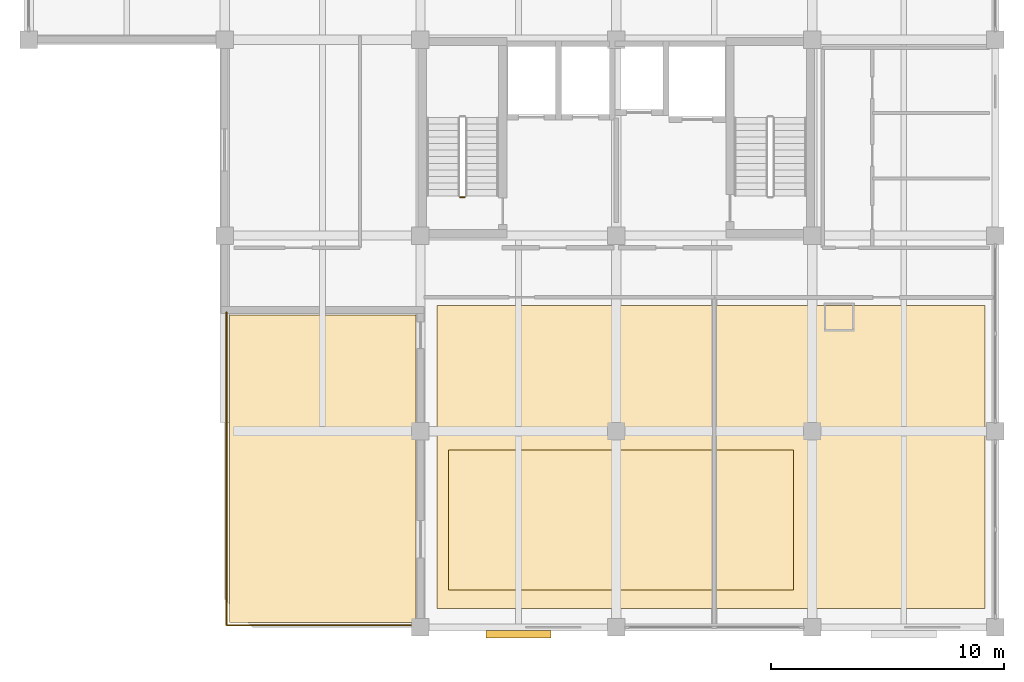
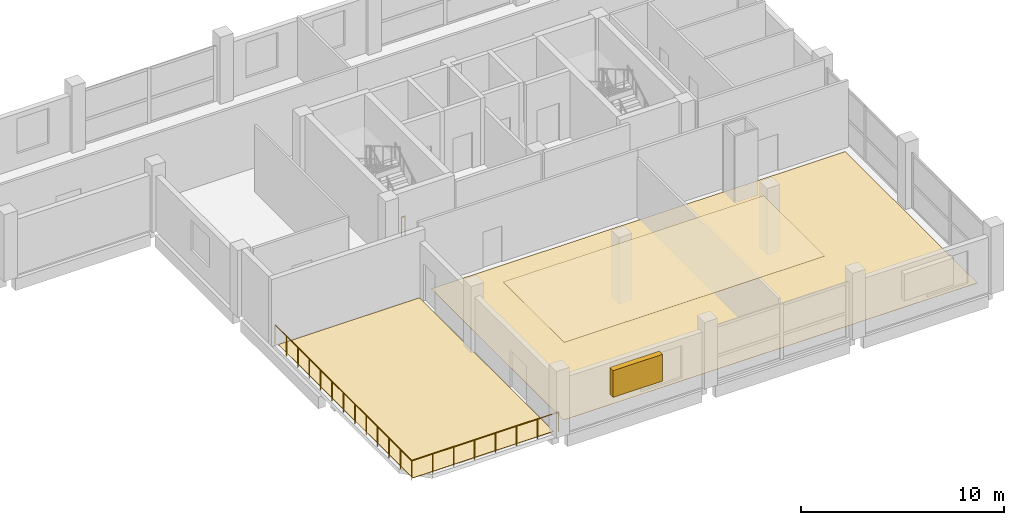
# One storey, part 9 of 10: 3 coverings, 2 railings, 1 shading device.
"""IFC4 building model written with IfcOpenShell, lengths in metres."""

from ifc_helpers import new_model, si_unit, direction, frame, origin, origin_2d, place, context, subcontext, project, spatial, polyline, rectangle, circle, outline, extrude, material, layer, layer_set, type_object, element, save


model = new_model("IFC4")

# Units and contexts
model_context = context("Model", 3, precision=1e-05, world=origin(), true_north=direction((0.0, 1.0)))
body_context = subcontext(model_context, "Body", "Model", "MODEL_VIEW")
ifc_project = project(units=[si_unit("LENGTHUNIT", "METRE"), si_unit("AREAUNIT", "SQUARE_METRE"), si_unit("VOLUMEUNIT", "CUBIC_METRE"), si_unit("PLANEANGLEUNIT", "RADIAN"), si_unit("MASSUNIT", "GRAM", prefix="KILO")], contexts=[model_context])

# Site, building, storey
site_placement = place(None, origin())
site = spatial("IfcSite", under=ifc_project, at=site_placement, CompositionType="ELEMENT")
building_placement = place(site_placement, origin())
building = spatial("IfcBuilding", under=site, at=building_placement, Name="Brinegate Botanical Conservatory", CompositionType="ELEMENT")
storey_placement = place(building_placement, frame((0.0, 0.0, 44.39990234375)))
storey = spatial("IfcBuildingStorey", under=building, at=storey_placement, Name="L11", CompositionType="ELEMENT", Elevation=44.39990234375)

# Coverings
ifc_material_1 = material(Name="Moisture-resistant acoustic mineral-fibre ceiling board", Category="gypsum")
ifc_layer_1 = layer(ifc_material_1, 0.02001953125, Name="Moisture-resistant acoustic mineral-fibre ceiling board", Category="gypsum")
ifc_layer_set_1 = layer_set([ifc_layer_1], Name="Moisture-resistant acoustic mineral-fibre ceiling board")
covering_type_1 = type_object("IfcCoveringType", Name="Cov_CLG-LAB", PredefinedType="CEILING", material=ifc_layer_set_1)
covering_1_placement = place(storey_placement, frame((0.0, 0.0, 3.989990234375)))
element("IfcCovering", 1, at=covering_1_placement, inside=storey, type_object=covering_type_1, Name="Laboratory acoustic mineral-fibre ceiling L11", PredefinedType="CEILING", context=body_context, shape_type="SweptSolid", body=[
    extrude(outline(polyline([(140.0, 80.0), (154.800048828125, 80.0), (154.800048828125, 86.0), (140.0, 86.0), (140.0, 80.0)])), origin(), (0.0, 0.0, 1.0), 0.02001953125),
])
ifc_material_2 = material(Name="Seamless chemical-resistant terrazzo and epoxy flooring", Category="concrete")
ifc_layer_2 = layer(ifc_material_2, 0.014892578125, Name="Seamless chemical-resistant terrazzo and epoxy flooring", Category="concrete")
ifc_layer_set_2 = layer_set([ifc_layer_2], Name="Seamless chemical-resistant terrazzo and epoxy flooring")
covering_type_2 = type_object("IfcCoveringType", Name="Cov_FLR-LAB", PredefinedType="FLOORING", material=ifc_layer_set_2)
covering_2_placement = place(storey_placement, origin())
element("IfcCovering", 2, at=covering_2_placement, inside=storey, type_object=covering_type_2, Name="Laboratory seamless terrazzo floor finish L11", PredefinedType="FLOORING", context=body_context, shape_type="SweptSolid", body=[
    extrude(outline(polyline([(139.5, 79.199951171875), (163.0, 79.199951171875), (163.0, 92.199951171875), (139.5, 92.199951171875), (139.5, 79.199951171875)])), origin(), (0.0, 0.0, 1.0), 0.01513671875),
])
ifc_material_3 = material(Name="Thermoplastic polyolefin waterproofing membrane & rigid insulation", Category="membrane")
ifc_layer_3 = layer(ifc_material_3, 0.02490234375, Name="Thermoplastic polyolefin waterproofing membrane & rigid insulation", Category="membrane")
ifc_layer_set_3 = layer_set([ifc_layer_3], Name="Thermoplastic polyolefin waterproofing membrane & rigid insulation")
covering_type_3 = type_object("IfcCoveringType", Name="Cov_ROF-MEM", PredefinedType="ROOFING", material=ifc_layer_set_3)
covering_3_placement = place(storey_placement, origin())
element("IfcCovering", 3, at=covering_3_placement, inside=storey, type_object=covering_type_3, Name="Mid-tower loggia waterproofing L11", PredefinedType="ROOFING", context=body_context, shape_type="SweptSolid", body=[
    extrude(outline(polyline([(130.60009765625, 78.60009765625), (138.60009765625, 78.60009765625), (138.60009765625, 91.800048828125), (130.60009765625, 91.800048828125), (130.60009765625, 78.60009765625)])), origin(), (0.0, 0.0, 1.0), 0.025146484375),
])

# Railings
ifc_material_4 = material(Name="Structural steel Q355B / S355 and laminated glass balustrade", Category="steel")
railing_type_1 = type_object("IfcRailingType", Name="Rail_GD-EXT", PredefinedType="BALUSTRADE", material=ifc_material_4)
railing_1_placement = place(storey_placement, frame((138.800048828125, 78.47998046875, 0.0)))
element("IfcRailing", 4, at=railing_1_placement, inside=storey, type_object=railing_type_1, Name="Mid-Tower Botanical Loggia L11 perimeter balustrade", PredefinedType="BALUSTRADE", context=body_context, shape_type="SweptSolid", body=[
    extrude(circle(Radius=0.02392578125, at=origin_2d()), frame((0.0, 0.0, 1.17578125), z_axis=(-1.0, 0.0, 0.0), x_axis=(0.0, -1.0, 0.0)), (0.0, 0.0, 1.0), 8.320068359375),
    extrude(circle(Radius=0.02392578125, at=origin_2d()), frame((-8.320068359375, 0.0, 1.17578125), z_axis=(0.0, 1.0, 0.0), x_axis=(-1.0, 0.0, 0.0)), (0.0, 0.0, 1.0), 13.43994140625),
    extrude(circle(Radius=0.02099609375, at=origin_2d()), origin(), (0.0, 0.0, 1.0), 1.15185546875),
    extrude(circle(Radius=0.02099609375, at=origin_2d()), frame((-1.1884765625, 0.0, 0.0)), (0.0, 0.0, 1.0), 1.15185546875),
    extrude(circle(Radius=0.02099609375, at=origin_2d()), frame((-2.377197265625, 0.0, 0.0)), (0.0, 0.0, 1.0), 1.15185546875),
    extrude(circle(Radius=0.02099609375, at=origin_2d()), frame((-3.565673828125, 0.0, 0.0)), (0.0, 0.0, 1.0), 1.15185546875),
    extrude(circle(Radius=0.02099609375, at=origin_2d()), frame((-4.75439453125, 0.0, 0.0)), (0.0, 0.0, 1.0), 1.15185546875),
    extrude(circle(Radius=0.02099609375, at=origin_2d()), frame((-5.94287109375, 0.0, 0.0)), (0.0, 0.0, 1.0), 1.15185546875),
    extrude(circle(Radius=0.02099609375, at=origin_2d()), frame((-7.131591796875, 0.0, 0.0)), (0.0, 0.0, 1.0), 1.15185546875),
    extrude(circle(Radius=0.02099609375, at=origin_2d()), frame((-8.320068359375, 0.0, 0.0)), (0.0, 0.0, 1.0), 1.15185546875),
    extrude(circle(Radius=0.02099609375, at=origin_2d()), frame((-8.320068359375, 1.1201171875, 0.0)), (0.0, 0.0, 1.0), 1.15185546875),
    extrude(circle(Radius=0.02099609375, at=origin_2d()), frame((-8.320068359375, 2.239990234375, 0.0)), (0.0, 0.0, 1.0), 1.15185546875),
    extrude(circle(Radius=0.02099609375, at=origin_2d()), frame((-8.320068359375, 3.35986328125, 0.0)), (0.0, 0.0, 1.0), 1.15185546875),
    extrude(circle(Radius=0.02099609375, at=origin_2d()), frame((-8.320068359375, 4.47998046875, 0.0)), (0.0, 0.0, 1.0), 1.15185546875),
    extrude(circle(Radius=0.02099609375, at=origin_2d()), frame((-8.320068359375, 5.60009765625, 0.0)), (0.0, 0.0, 1.0), 1.15185546875),
    extrude(circle(Radius=0.02099609375, at=origin_2d()), frame((-8.320068359375, 6.719970703125, 0.0)), (0.0, 0.0, 1.0), 1.15185546875),
    extrude(circle(Radius=0.02099609375, at=origin_2d()), frame((-8.320068359375, 7.840087890625, 0.0)), (0.0, 0.0, 1.0), 1.15185546875),
    extrude(circle(Radius=0.02099609375, at=origin_2d()), frame((-8.320068359375, 8.9599609375, 0.0)), (0.0, 0.0, 1.0), 1.15185546875),
    extrude(circle(Radius=0.02099609375, at=origin_2d()), frame((-8.320068359375, 10.080078125, 0.0)), (0.0, 0.0, 1.0), 1.15185546875),
    extrude(circle(Radius=0.02099609375, at=origin_2d()), frame((-8.320068359375, 11.199951171875, 0.0)), (0.0, 0.0, 1.0), 1.15185546875),
    extrude(circle(Radius=0.02099609375, at=origin_2d()), frame((-8.320068359375, 12.31982421875, 0.0)), (0.0, 0.0, 1.0), 1.15185546875),
    extrude(circle(Radius=0.02099609375, at=origin_2d()), frame((-8.320068359375, 13.43994140625, 0.0)), (0.0, 0.0, 1.0), 1.15185546875),
])
ifc_material_5 = material(Name="Structural steel Q355B / S355 painted tubular guardrail", Category="steel")
railing_type_2 = type_object("IfcRailingType", Name="Rail_ST-GRD", PredefinedType="GUARDRAIL", material=ifc_material_5)
railing_2_placement = place(storey_placement, frame((140.699951171875, 96.85009765625, 0.0)))
element("IfcRailing", 5, at=railing_2_placement, inside=storey, type_object=railing_type_2, Name="L11 ST1 stair guard 4", PredefinedType="GUARDRAIL", context=body_context, shape_type="SweptSolid", body=[
    extrude(circle(Radius=0.02392578125, at=origin_2d()), frame((0.0, 0.0, 1.1259765625), z_axis=(-1.0, 0.0, 0.0), x_axis=(0.0, -1.0, 0.0)), (0.0, 0.0, 1.0), 0.199951171875),
    extrude(circle(Radius=0.02099609375, at=origin_2d()), origin(), (0.0, 0.0, 1.0), 1.101806640625),
    extrude(circle(Radius=0.02099609375, at=origin_2d()), frame((-0.199951171875, 0.0, 0.0)), (0.0, 0.0, 1.0), 1.101806640625),
])

# Shading device
ifc_material_6 = material(Name="Anodised aluminium AW-6063-T6 solar-storm fin bank", Category="aluminium")
shading_device_type = type_object("IfcShadingDeviceType", Name="Shade_SLV-02", PredefinedType="JALOUSIE", material=ifc_material_6)
shading_device_placement = place(storey_placement, frame((143.0, 78.110107421875, 1.400146484375), z_axis=(0.0, 0.0, 1.0), x_axis=(1.0, 0.0, 0.0)))
element("IfcShadingDevice", 6, at=shading_device_placement, inside=storey, type_object=shading_device_type, Name="Research lab south storm louvre L11.1", PredefinedType="JALOUSIE", context=body_context, shape_type="SweptSolid", body=[
    extrude(rectangle(XDim=2.800048828125, YDim=0.320068359375, at=origin_2d()), origin(), (0.0, 0.0, 1.0), 1.60009765625),
])

save(model, "model.ifc")
